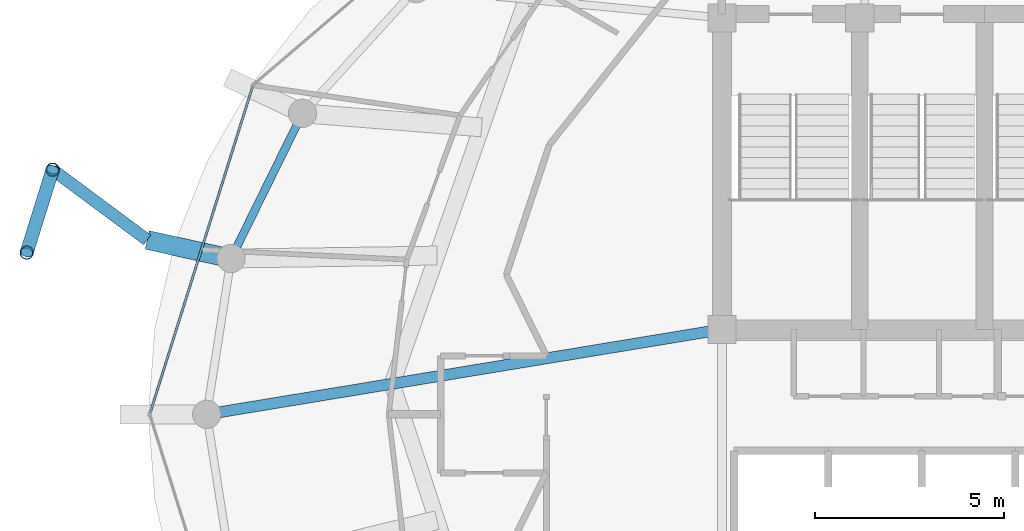
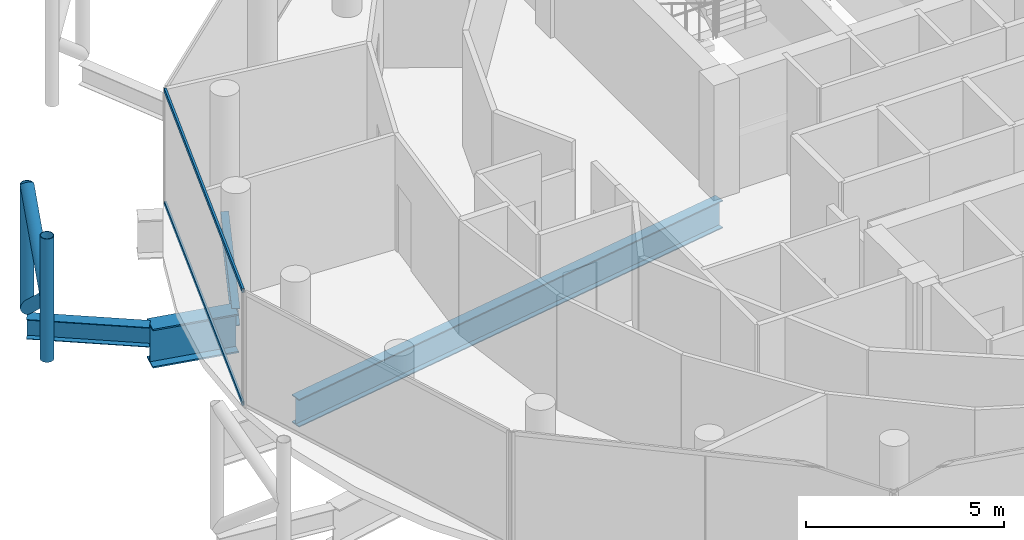
# One storey, part 7 of 25: 6 members, 4 beams, 1 element without a shape of its own.
"""IFC4 building model written with IfcOpenShell, lengths in metres."""

from ifc_helpers import new_model, si_unit, direction, frame, origin, origin_2d, place, context, subcontext, project, spatial, hollow_rectangle, hollow_circle, i_section, extrude, material, layer, layer_set, material_profile, profile_set, type_object, element, aggregate, save


model = new_model("IFC4")

# Units and contexts
model_context = context("Model", 3, precision=1e-05, world=origin(), true_north=direction((0.0, 1.0)))
body_context = subcontext(model_context, "Body", "Model", "MODEL_VIEW")
ifc_project = project(units=[si_unit("LENGTHUNIT", "METRE"), si_unit("AREAUNIT", "SQUARE_METRE"), si_unit("VOLUMEUNIT", "CUBIC_METRE"), si_unit("PLANEANGLEUNIT", "RADIAN"), si_unit("MASSUNIT", "GRAM", prefix="KILO")], contexts=[model_context])

# Site, building, storey
site_placement = place(None, origin())
site = spatial("IfcSite", under=ifc_project, at=site_placement, CompositionType="ELEMENT")
building_placement = place(site_placement, origin())
building = spatial("IfcBuilding", under=site, at=building_placement, Name="Nuhasar Tower", CompositionType="ELEMENT")
storey_placement = place(building_placement, frame((0.0, 0.0, 255.60009765625)))
storey = spatial("IfcBuildingStorey", under=building, at=storey_placement, Name="L63", CompositionType="ELEMENT", Elevation=255.60009765625)

# Beams
ifc_material_1 = material(Name="Steel S355", Category="steel")
ifc_material_profile_1 = material_profile(ifc_material_1, i_section(OverallWidth=0.2919921875, OverallDepth=0.85888671875, WebThickness=0.01708984375, FlangeThickness=0.031005859375, at=origin_2d()), Name="W33X169")
ifc_profile_set_1 = profile_set([ifc_material_profile_1], Name="Steel S355")
beam_type_1 = type_object("IfcBeamType", Name="BM-POD-W33X169", PredefinedType="BEAM", material=ifc_profile_set_1)
beam_1_placement = place(storey_placement, frame((33.699951171875, 29.050048828125, -0.689208984375), z_axis=(-0.986685215874, -0.162641583786, 0.0), x_axis=(0.162641583786, -0.986685215874, 0.0)))
element("IfcBeam", 1, at=beam_1_placement, inside=storey, type_object=beam_type_1, Name="L63 Radial Floor Girder 08", PredefinedType="BEAM", context=body_context, shape_type="SweptSolid", body=[
    extrude(i_section(OverallWidth=0.2919921875, OverallDepth=0.85888671875, WebThickness=0.01708984375, FlangeThickness=0.031005859375, at=origin_2d()), origin(), (0.0, 0.0, 1.0), 13.833984375),
])
ifc_material_profile_2 = material_profile(ifc_material_1, i_section(OverallWidth=0.2099609375, OverallDepth=0.537109375, WebThickness=0.010986328125, FlangeThickness=0.017333984375, at=origin_2d()), Name="W21X68")
ifc_profile_set_2 = profile_set([ifc_material_profile_2], Name="Steel S355")
beam_type_2 = type_object("IfcBeamType", Name="BM-RING-W21X68", PredefinedType="SPANDREL", material=ifc_profile_set_2)
beam_2_placement = place(storey_placement, frame((22.589111328125, 34.77490234375, -0.528076171875), z_axis=(-0.441533119295, -0.897244952377, 0.0), x_axis=(0.897244952377, -0.441533119295, 0.0)))
element("IfcBeam", 2, at=beam_2_placement, inside=storey, type_object=beam_type_2, Name="L63 Perimeter Ring Spandrel 11", PredefinedType="SPANDREL", context=body_context, shape_type="SweptSolid", body=[
    extrude(i_section(OverallWidth=0.2099609375, OverallDepth=0.537109375, WebThickness=0.010986328125, FlangeThickness=0.017333984375, at=origin_2d()), origin(), (0.0, 0.0, 1.0), 4.28759765625),
])
ifc_material_profile_3 = material_profile(ifc_material_1, i_section(OverallWidth=0.323974609375, OverallDepth=0.611083984375, WebThickness=0.0126953125, FlangeThickness=0.01904296875, at=origin_2d()), Name="W24X104")
ifc_profile_set_3 = profile_set([ifc_material_profile_3], Name="Steel S355")
beam_type_3 = type_object("IfcBeamType", Name="BM-TIE-W24X104", PredefinedType="BEAM", material=ifc_profile_set_3)
beam_3_placement = place(storey_placement, frame((18.47412109375, 31.419921875, -0.565185546875), z_axis=(-0.802945922723, 0.596051881285, 0.0), x_axis=(-0.596051881285, -0.802945922723, 0.0)))
element("IfcBeam", 3, at=beam_3_placement, inside=storey, type_object=beam_type_3, Name="L63 Exoskeleton Node Tie Beam 06", PredefinedType="BEAM", context=body_context, shape_type="SweptSolid", body=[
    extrude(i_section(OverallWidth=0.323974609375, OverallDepth=0.611083984375, WebThickness=0.0126953125, FlangeThickness=0.01904296875, at=origin_2d()), origin(), (0.0, 0.0, 1.0), 3.122314453125),
])
ifc_material_2 = material(Name="Steel S460", Category="steel")
ifc_material_profile_4 = material_profile(ifc_material_2, i_section(OverallWidth=0.5, OverallDepth=1.199951171875, WebThickness=0.02587890625, FlangeThickness=0.044921875, at=origin_2d()), Name="PG1200X500")
ifc_profile_set_4 = profile_set([ifc_material_profile_4], Name="Steel S460")
beam_type_4 = type_object("IfcBeamType", Name="BM-XFER-PG1200", PredefinedType="USERDEFINED", material=ifc_profile_set_4)
beam_4_placement = place(storey_placement, frame((20.696044921875, 30.927978515625, -0.860107421875), z_axis=(-0.976355887385, 0.216169334478, 0.0), x_axis=(-0.216169334478, -0.976355887385, 0.0)))
element("IfcBeam", 4, at=beam_4_placement, inside=storey, type_object=beam_type_4, Name="L63 Outer Column Step Transfer Girder 12", ObjectType="GIRDER", PredefinedType="USERDEFINED", context=body_context, shape_type="SweptSolid", body=[
    extrude(i_section(OverallWidth=0.5, OverallDepth=1.199951171875, WebThickness=0.02587890625, FlangeThickness=0.044921875, at=origin_2d()), origin(), (0.0, 0.0, 1.0), 2.275634765625),
])

# Curtain wall, members
ifc_material_3 = material(Name="Aluminium 6063-T6", Category="aluminium")
ifc_layer = layer(ifc_material_3, 0.18994140625)
ifc_layer_set = layer_set([ifc_layer], Name="Aluminium 6063-T6")
curtain_wall_type = type_object("IfcCurtainWallType", Name="CW-Z4-PEN", PredefinedType="NOTDEFINED", material=ifc_layer_set)
curtain_wall_placement = place(storey_placement, origin())
curtain_wall = element("IfcCurtainWall", 5, at=curtain_wall_placement, inside=storey, type_object=curtain_wall_type, Name="L63 Unitised Curtain Wall 06", PredefinedType="NOTDEFINED")
ifc_material_profile_5 = material_profile(ifc_material_3, hollow_rectangle(XDim=0.06005859375, YDim=0.135009765625, WallThickness=0.00439453125, at=origin_2d()), Name="CWT-5")
ifc_profile_set_5 = profile_set([ifc_material_profile_5], Name="Aluminium 6063-T6")
member_type_1 = type_object("IfcMemberType", Name="CW-TRN-S5", PredefinedType="USERDEFINED", material=ifc_profile_set_5)
member_1_placement = place(storey_placement, frame((21.262939453125, 35.47265625, 0.02978515625), z_axis=(-0.29956014073, -0.954077419335, 0.0), x_axis=(0.954077419335, -0.29956014073, 0.0)))
member_1 = element("IfcMember", 6, at=member_1_placement, type_object=member_type_1, Name="CW-Z4 transom 1.1", ObjectType="TRANSOM", PredefinedType="USERDEFINED", context=body_context, shape_type="SweptSolid", body=[
    extrude(hollow_rectangle(XDim=0.06005859375, YDim=0.135009765625, WallThickness=0.00439453125, at=origin_2d()), origin(), (0.0, 0.0, 1.0), 9.0302734375),
])
member_2_placement = place(storey_placement, frame((21.262939453125, 35.47265625, 3.510009765625), z_axis=(-0.29956014073, -0.954077419335, 0.0), x_axis=(0.954077419335, -0.29956014073, 0.0)))
member_2 = element("IfcMember", 7, at=member_2_placement, type_object=member_type_1, Name="CW-Z4 transom 1.2", ObjectType="TRANSOM", PredefinedType="USERDEFINED", context=body_context, shape_type="SweptSolid", body=[
    extrude(hollow_rectangle(XDim=0.06005859375, YDim=0.135009765625, WallThickness=0.00439453125, at=origin_2d()), origin(), (0.0, 0.0, 1.0), 9.0302734375),
])
aggregate(curtain_wall, [member_1, member_2])

# Members
ifc_material_profile_6 = material_profile(ifc_material_2, hollow_circle(Radius=0.177734375, WallThickness=0.015869140625, at=origin_2d()), Name="HSS355.6X15.9")
ifc_profile_set_6 = profile_set([ifc_material_profile_6], Name="Steel S460")
member_type_2 = type_object("IfcMemberType", Name="EXO-BRONZE-356", PredefinedType="BRACE", material=ifc_profile_set_6)
for number, where, z_axis, x_axis, name in (
    (8, (15.967041015625, 33.281005859375, 0.0), (0.0, 0.0, 1.0), (1.0, 0.0, 0.0), "L63 Exoskeleton Chord Column EC-06A"),
    (9, (15.281982421875, 31.0859375, 0.0), (0.0, 0.0, 1.0), (1.0, 0.0, 0.0), "L63 Exoskeleton Chord Column EC-06B"),
):
    element("IfcMember", number, at=place(storey_placement, frame(where, z_axis=z_axis, x_axis=x_axis)), inside=storey, type_object=member_type_2, Name=name, PredefinedType="BRACE", context=body_context, shape_type="SweptSolid", body=[
        extrude(hollow_circle(Radius=0.177734375, WallThickness=0.015869140625, at=origin_2d()), origin(), (0.0, 0.0, 1.0), 3.7998046875),
    ])
for number, where, z_axis, x_axis, name in (
    (10, (15.967041015625, 33.281005859375, 0.0), (-0.229667527485, -0.735901902929, 0.636946792192), (0.954591372974, -0.297918295247, 0.0), "L63 Bronze Diagrid Brace W1-06"),
    (11, (15.281982421875, 31.0859375, 1.89990234375), (0.229667527485, 0.735901902929, 0.636946792192), (-0.954591372974, 0.297918295247, 0.0), "L63 Bronze Diagrid Brace W2-06"),
):
    element("IfcMember", number, at=place(storey_placement, frame(where, z_axis=z_axis, x_axis=x_axis)), inside=storey, type_object=member_type_2, Name=name, PredefinedType="BRACE", context=body_context, shape_type="SweptSolid", body=[
        extrude(hollow_circle(Radius=0.177734375, WallThickness=0.015869140625, at=origin_2d()), origin(), (0.0, 0.0, 1.0), 2.98291015625),
    ])

save(model, "model.ifc")
